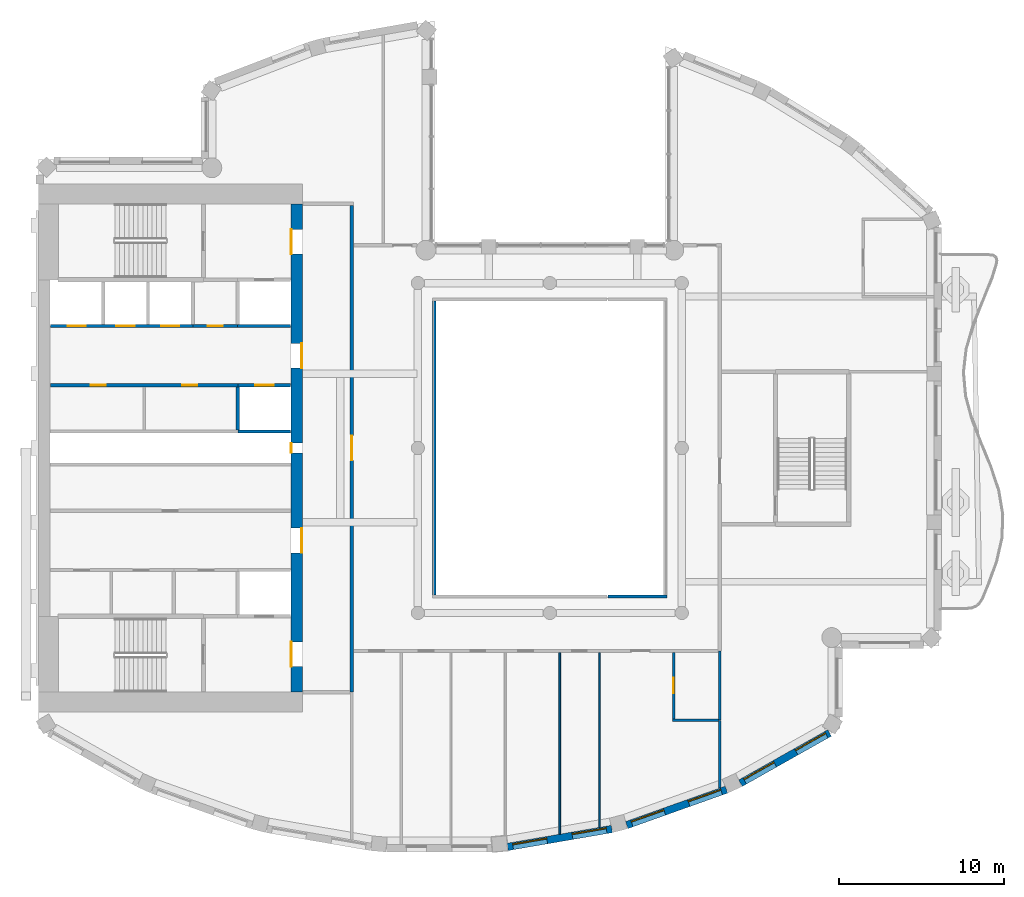
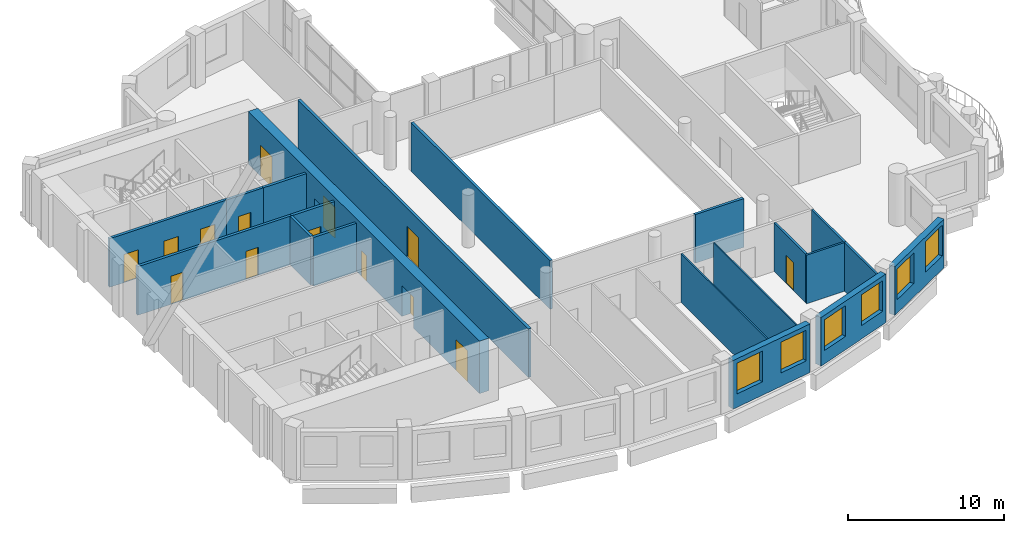
# One storey, part 5 of 15: 20 walls, 14 doors, 6 windows, 20 openings.
"""IFC4 building model written with IfcOpenShell, lengths in metres."""

from ifc_helpers import new_model, si_unit, direction, frame, frame_2d, origin, place, context, subcontext, project, spatial, rectangle, extrude, material, layer, layer_set, type_object, element, fill, save


model = new_model("IFC4")

# Units and contexts
model_context = context("Model", 3, precision=1e-05, world=origin(), true_north=direction((0.0, 1.0)))
body_context = subcontext(model_context, "Body", "Model", "MODEL_VIEW")
ifc_project = project(units=[si_unit("LENGTHUNIT", "METRE"), si_unit("AREAUNIT", "SQUARE_METRE"), si_unit("VOLUMEUNIT", "CUBIC_METRE"), si_unit("PLANEANGLEUNIT", "RADIAN"), si_unit("MASSUNIT", "GRAM", prefix="KILO")], contexts=[model_context])

# Site, building, storey
site_placement = place(None, origin())
site = spatial("IfcSite", under=ifc_project, at=site_placement, CompositionType="ELEMENT")
building_placement = place(site_placement, origin())
building = spatial("IfcBuilding", under=site, at=building_placement, Name="Cypress Arch Tower", CompositionType="ELEMENT")
storey_placement = place(building_placement, frame((0.0, 0.0, 313.10009765625)))
storey = spatial("IfcBuildingStorey", under=building, at=storey_placement, Name="L71", CompositionType="ELEMENT", Elevation=313.10009765625)

# Wall, openings, windows
ifc_material_1 = material(Name="Brick (red buff blend)", Category="masonry")
ifc_layer_1 = layer(ifc_material_1, 0.449951171875)
ifc_layer_set_1 = layer_set([ifc_layer_1], Name="Brick pier and spandrel wall BW450")
wall_type_1 = type_object("IfcWallType", Name="Brick pier and spandrel wall BW450", PredefinedType="SOLIDWALL", material=ifc_layer_set_1)
wall_1_placement = place(storey_placement, frame((-1.562255859375, -24.18505859375, 0.0), z_axis=(0.0, 0.0, 1.0), x_axis=(0.985502073964, 0.169663379113, 0.0)))
wall_1 = element("IfcWall", 1, at=wall_1_placement, inside=storey, type_object=wall_type_1, Name="Brick wall L71 C12.0", PredefinedType="SOLIDWALL", context=body_context, shape_type="SweptSolid", body=[
    extrude(rectangle(XDim=6.412109375, YDim=0.449951171875, at=frame_2d((3.2060546875, 0.0))), origin(), (0.0, 0.0, 1.0), 3.7998046875),
])
opening_1_placement = place(wall_1_placement, frame((0.3271484375, 0.0, 1.050048828125)))
opening_1 = element("IfcOpeningElement", 2, at=opening_1_placement, cuts=wall_1, Name="Opening W210O", PredefinedType="OPENING", context=body_context, shape_type="SweptSolid", body=[
    extrude(rectangle(XDim=2.10009765625, YDim=2.39990234375, at=frame_2d((1.050048828125, 1.199951171875))), frame((0.0, 0.23486328125, 0.0), z_axis=(0.0, -1.0, 0.0), x_axis=(1.0, 0.0, 0.0)), (0.0, 0.0, 1.0), 0.469970703125),
])
opening_2_placement = place(wall_1_placement, frame((3.98486328125, 0.0, 1.050048828125)))
opening_2 = element("IfcOpeningElement", 3, at=opening_2_placement, cuts=wall_1, Name="Opening W210O", PredefinedType="OPENING", context=body_context, shape_type="SweptSolid", body=[
    extrude(rectangle(XDim=2.10009765625, YDim=2.39990234375, at=frame_2d((1.050048828125, 1.199951171875))), frame((0.0, 0.23486328125, 0.0), z_axis=(0.0, -1.0, 0.0), x_axis=(1.0, 0.0, 0.0)), (0.0, 0.0, 1.0), 0.469970703125),
])
ifc_material_2 = material(Name="Anodised aluminium, bronze finish, clear low-emissivity double glazing", Category="aluminium")
window_type = type_object("IfcWindowType", Name="Window Office 2100x2400", PartitioningType="SINGLE_PANEL", PredefinedType="WINDOW", material=ifc_material_2)
window_1_placement = place(opening_1_placement, origin())
window_1 = element("IfcWindow", 4, at=window_1_placement, inside=storey, type_object=window_type, Name="Window L71 C12.0.1", OverallHeight=2.39990234375, OverallWidth=2.10009765625, PartitioningType="SINGLE_PANEL", PredefinedType="WINDOW", context=body_context, shape_type="SweptSolid", body=[
    extrude(rectangle(XDim=2.10009765625, YDim=2.39990234375, at=frame_2d((1.050048828125, 1.199951171875))), frame((0.0, 0.135009765625, 0.0), z_axis=(0.0, -1.0, 0.0), x_axis=(1.0, 0.0, 0.0)), (0.0, 0.0, 1.0), 0.06005859375),
])
fill(opening_1, window_1)
window_2_placement = place(opening_2_placement, origin())
window_2 = element("IfcWindow", 5, at=window_2_placement, inside=storey, type_object=window_type, Name="Window L71 C12.0.2", OverallHeight=2.39990234375, OverallWidth=2.10009765625, PartitioningType="SINGLE_PANEL", PredefinedType="WINDOW", context=body_context, shape_type="SweptSolid", body=[
    extrude(rectangle(XDim=2.10009765625, YDim=2.39990234375, at=frame_2d((1.050048828125, 1.199951171875))), frame((0.0, 0.135009765625, 0.0), z_axis=(0.0, -1.0, 0.0), x_axis=(1.0, 0.0, 0.0)), (0.0, 0.0, 1.0), 0.06005859375),
])
fill(opening_2, window_2)

wall_2_placement = place(storey_placement, frame((5.66455078125, -22.859375, 0.0), z_axis=(0.0, 0.0, 1.0), x_axis=(0.942108340262, 0.335308626803, 0.0)))
wall_2 = element("IfcWall", 6, at=wall_2_placement, inside=storey, type_object=wall_type_1, Name="Brick wall L71 C13.0", PredefinedType="SOLIDWALL", context=body_context, shape_type="SweptSolid", body=[
    extrude(rectangle(XDim=6.41162109375, YDim=0.449951171875, at=frame_2d((3.205810546875, 0.0))), origin(), (0.0, 0.0, 1.0), 3.7998046875),
])
opening_3_placement = place(wall_2_placement, frame((0.3271484375, 0.0, 1.050048828125)))
opening_3 = element("IfcOpeningElement", 7, at=opening_3_placement, cuts=wall_2, Name="Opening W210O", PredefinedType="OPENING", context=body_context, shape_type="SweptSolid", body=[
    extrude(rectangle(XDim=2.10009765625, YDim=2.39990234375, at=frame_2d((1.050048828125, 1.199951171875))), frame((0.0, 0.23486328125, 0.0), z_axis=(0.0, -1.0, 0.0), x_axis=(1.0, 0.0, 0.0)), (0.0, 0.0, 1.0), 0.469970703125),
])
opening_4_placement = place(wall_2_placement, frame((3.984619140625, 0.0, 1.050048828125)))
opening_4 = element("IfcOpeningElement", 8, at=opening_4_placement, cuts=wall_2, Name="Opening W210O", PredefinedType="OPENING", context=body_context, shape_type="SweptSolid", body=[
    extrude(rectangle(XDim=2.10009765625, YDim=2.39990234375, at=frame_2d((1.050048828125, 1.199951171875))), frame((0.0, 0.23486328125, 0.0), z_axis=(0.0, -1.0, 0.0), x_axis=(1.0, 0.0, 0.0)), (0.0, 0.0, 1.0), 0.469970703125),
])
window_3_placement = place(opening_3_placement, origin())
window_3 = element("IfcWindow", 9, at=window_3_placement, inside=storey, type_object=window_type, Name="Window L71 C13.0.1", OverallHeight=2.39990234375, OverallWidth=2.10009765625, PartitioningType="SINGLE_PANEL", PredefinedType="WINDOW", context=body_context, shape_type="SweptSolid", body=[
    extrude(rectangle(XDim=2.10009765625, YDim=2.39990234375, at=frame_2d((1.050048828125, 1.199951171875))), frame((0.0, 0.135009765625, 0.0), z_axis=(0.0, -1.0, 0.0), x_axis=(1.0, 0.0, 0.0)), (0.0, 0.0, 1.0), 0.06005859375),
])
fill(opening_3, window_3)
window_4_placement = place(opening_4_placement, origin())
window_4 = element("IfcWindow", 10, at=window_4_placement, inside=storey, type_object=window_type, Name="Window L71 C13.0.2", OverallHeight=2.39990234375, OverallWidth=2.10009765625, PartitioningType="SINGLE_PANEL", PredefinedType="WINDOW", context=body_context, shape_type="SweptSolid", body=[
    extrude(rectangle(XDim=2.10009765625, YDim=2.39990234375, at=frame_2d((1.050048828125, 1.199951171875))), frame((0.0, 0.135009765625, 0.0), z_axis=(0.0, -1.0, 0.0), x_axis=(1.0, 0.0, 0.0)), (0.0, 0.0, 1.0), 0.06005859375),
])
fill(opening_4, window_4)

wall_3_placement = place(storey_placement, frame((12.55908203125, -20.320068359375, 0.0), z_axis=(0.0, 0.0, 1.0), x_axis=(0.871065783524, 0.491166367714, 0.0)))
wall_3 = element("IfcWall", 11, at=wall_3_placement, inside=storey, type_object=wall_type_1, Name="Brick wall L71 C14.0", PredefinedType="SOLIDWALL", context=body_context, shape_type="SweptSolid", body=[
    extrude(rectangle(XDim=6.1962890625, YDim=0.449951171875, at=frame_2d((3.09814453125, 0.0))), origin(), (0.0, 0.0, 1.0), 3.7998046875),
])
opening_5_placement = place(wall_3_placement, frame((0.29052734375, 0.0, 1.050048828125)))
opening_5 = element("IfcOpeningElement", 12, at=opening_5_placement, cuts=wall_3, Name="Opening W210O", PredefinedType="OPENING", context=body_context, shape_type="SweptSolid", body=[
    extrude(rectangle(XDim=2.10009765625, YDim=2.39990234375, at=frame_2d((1.050048828125, 1.199951171875))), frame((0.0, 0.23486328125, 0.0), z_axis=(0.0, -1.0, 0.0), x_axis=(1.0, 0.0, 0.0)), (0.0, 0.0, 1.0), 0.469970703125),
])
opening_6_placement = place(wall_3_placement, frame((3.875244140625, 0.0, 1.050048828125)))
opening_6 = element("IfcOpeningElement", 13, at=opening_6_placement, cuts=wall_3, Name="Opening W210O", PredefinedType="OPENING", context=body_context, shape_type="SweptSolid", body=[
    extrude(rectangle(XDim=2.10009765625, YDim=2.39990234375, at=frame_2d((1.050048828125, 1.199951171875))), frame((0.0, 0.23486328125, 0.0), z_axis=(0.0, -1.0, 0.0), x_axis=(1.0, 0.0, 0.0)), (0.0, 0.0, 1.0), 0.469970703125),
])
window_5_placement = place(opening_5_placement, origin())
window_5 = element("IfcWindow", 14, at=window_5_placement, inside=storey, type_object=window_type, Name="Window L71 C14.0.1", OverallHeight=2.39990234375, OverallWidth=2.10009765625, PartitioningType="SINGLE_PANEL", PredefinedType="WINDOW", context=body_context, shape_type="SweptSolid", body=[
    extrude(rectangle(XDim=2.10009765625, YDim=2.39990234375, at=frame_2d((1.050048828125, 1.199951171875))), frame((0.0, 0.135009765625, 0.0), z_axis=(0.0, -1.0, 0.0), x_axis=(1.0, 0.0, 0.0)), (0.0, 0.0, 1.0), 0.06005859375),
])
fill(opening_5, window_5)
window_6_placement = place(opening_6_placement, origin())
window_6 = element("IfcWindow", 15, at=window_6_placement, inside=storey, type_object=window_type, Name="Window L71 C14.0.2", OverallHeight=2.39990234375, OverallWidth=2.10009765625, PartitioningType="SINGLE_PANEL", PredefinedType="WINDOW", context=body_context, shape_type="SweptSolid", body=[
    extrude(rectangle(XDim=2.10009765625, YDim=2.39990234375, at=frame_2d((1.050048828125, 1.199951171875))), frame((0.0, 0.135009765625, 0.0), z_axis=(0.0, -1.0, 0.0), x_axis=(1.0, 0.0, 0.0)), (0.0, 0.0, 1.0), 0.06005859375),
])
fill(opening_6, window_6)

# Wall, openings, doors
ifc_material_3 = material(Name="Concrete C60/75", Category="concrete")
ifc_layer_2 = layer(ifc_material_3, 0.699951171875)
ifc_layer_set_2 = layer_set([ifc_layer_2], Name="Core wall CW700 C60/75")
wall_type_2 = type_object("IfcWallType", Name="Core wall CW700 C60/75", PredefinedType="SHEAR", material=ifc_layer_set_2)
wall_4_placement = place(storey_placement, frame((-14.35009765625, -14.800048828125, 0.0), z_axis=(0.0, 0.0, 1.0), x_axis=(0.0, 1.0, 0.0)))
wall_4 = element("IfcWall", 16, at=wall_4_placement, inside=storey, type_object=wall_type_2, Name="Core wall", PredefinedType="SHEAR", context=body_context, shape_type="SweptSolid", body=[
    extrude(rectangle(XDim=29.60009765625, YDim=0.699951171875, at=frame_2d((14.800048828125, 0.0))), origin(), (0.0, 0.0, 1.0), 4.099853515625),
])
opening_7_placement = place(wall_4_placement, frame((1.550048828125, 0.0, 0.0)))
opening_7 = element("IfcOpeningElement", 17, at=opening_7_placement, cuts=wall_4, Name="Opening D07", PredefinedType="OPENING", context=body_context, shape_type="SweptSolid", body=[
    extrude(rectangle(XDim=1.5, YDim=2.39990234375, at=frame_2d((0.75, 1.199951171875))), frame((0.0, 0.35986328125, 0.0), z_axis=(0.0, -1.0, 0.0), x_axis=(1.0, 0.0, 0.0)), (0.0, 0.0, 1.0), 0.719970703125),
])
opening_8_placement = place(wall_4_placement, frame((26.550048828125, 0.0, 0.0)))
opening_8 = element("IfcOpeningElement", 18, at=opening_8_placement, cuts=wall_4, Name="Opening D07", PredefinedType="OPENING", context=body_context, shape_type="SweptSolid", body=[
    extrude(rectangle(XDim=1.5, YDim=2.39990234375, at=frame_2d((0.75, 1.199951171875))), frame((0.0, 0.35986328125, 0.0), z_axis=(0.0, -1.0, 0.0), x_axis=(1.0, 0.0, 0.0)), (0.0, 0.0, 1.0), 0.719970703125),
])
opening_9_placement = place(wall_4_placement, frame((8.449951171875, 0.0, 0.0)))
opening_9 = element("IfcOpeningElement", 19, at=opening_9_placement, cuts=wall_4, Name="Opening D07", PredefinedType="OPENING", context=body_context, shape_type="SweptSolid", body=[
    extrude(rectangle(XDim=1.5, YDim=2.39990234375, at=frame_2d((0.75, 1.199951171875))), frame((0.0, 0.35986328125, 0.0), z_axis=(0.0, -1.0, 0.0), x_axis=(1.0, 0.0, 0.0)), (0.0, 0.0, 1.0), 0.719970703125),
])
opening_10_placement = place(wall_4_placement, frame((19.64990234375, 0.0, 0.0)))
opening_10 = element("IfcOpeningElement", 20, at=opening_10_placement, cuts=wall_4, Name="Opening D07", PredefinedType="OPENING", context=body_context, shape_type="SweptSolid", body=[
    extrude(rectangle(XDim=1.5, YDim=2.39990234375, at=frame_2d((0.75, 1.199951171875))), frame((0.0, 0.35986328125, 0.0), z_axis=(0.0, -1.0, 0.0), x_axis=(1.0, 0.0, 0.0)), (0.0, 0.0, 1.0), 0.719970703125),
])
opening_11_placement = place(wall_4_placement, frame((14.5, 0.0, 0.0)))
opening_11 = element("IfcOpeningElement", 21, at=opening_11_placement, cuts=wall_4, Name="Opening D08", PredefinedType="OPENING", context=body_context, shape_type="SweptSolid", body=[
    extrude(rectangle(XDim=0.60009765625, YDim=2.0, at=frame_2d((0.300048828125, 1.0))), frame((0.0, 0.35986328125, 0.0), z_axis=(0.0, -1.0, 0.0), x_axis=(1.0, 0.0, 0.0)), (0.0, 0.0, 1.0), 0.719970703125),
])
ifc_material_4 = material(Name="Steel framed glazed door, fire resisting", Category="steel")
door_type_1 = type_object("IfcDoorType", Name="Lobby door D07 1500x2400", OperationType="DOUBLE_DOOR_SINGLE_SWING", PredefinedType="DOOR", material=ifc_material_4)
door_1_placement = place(opening_7_placement, origin())
door_1 = element("IfcDoor", 22, at=door_1_placement, inside=storey, type_object=door_type_1, Name="Lobby door", OperationType="DOUBLE_DOOR_SINGLE_SWING", OverallHeight=2.39990234375, OverallWidth=1.5, PredefinedType="DOOR", context=body_context, shape_type="SweptSolid", body=[
    extrude(rectangle(XDim=1.5, YDim=2.39990234375, at=frame_2d((0.75, 1.199951171875))), frame((0.0, 0.34521484375, 0.0), z_axis=(0.0, -1.0, 0.0), x_axis=(1.0, 0.0, 0.0)), (0.0, 0.0, 1.0), 0.050048828125),
])
fill(opening_7, door_1)
door_2_placement = place(opening_8_placement, origin())
door_2 = element("IfcDoor", 23, at=door_2_placement, inside=storey, type_object=door_type_1, Name="Lobby door", OperationType="DOUBLE_DOOR_SINGLE_SWING", OverallHeight=2.39990234375, OverallWidth=1.5, PredefinedType="DOOR", context=body_context, shape_type="SweptSolid", body=[
    extrude(rectangle(XDim=1.5, YDim=2.39990234375, at=frame_2d((0.75, 1.199951171875))), frame((0.0, 0.34521484375, 0.0), z_axis=(0.0, -1.0, 0.0), x_axis=(1.0, 0.0, 0.0)), (0.0, 0.0, 1.0), 0.050048828125),
])
fill(opening_8, door_2)
door_3_placement = place(opening_9_placement, origin())
door_3 = element("IfcDoor", 24, at=door_3_placement, inside=storey, type_object=door_type_1, Name="Lobby door", OperationType="DOUBLE_DOOR_SINGLE_SWING", OverallHeight=2.39990234375, OverallWidth=1.5, PredefinedType="DOOR", context=body_context, shape_type="SweptSolid", body=[
    extrude(rectangle(XDim=1.5, YDim=2.39990234375, at=frame_2d((0.75, 1.199951171875))), frame((0.0, -0.294921875, 0.0), z_axis=(0.0, -1.0, 0.0), x_axis=(1.0, 0.0, 0.0)), (0.0, 0.0, 1.0), 0.050048828125),
])
fill(opening_9, door_3)
door_4_placement = place(opening_10_placement, origin())
door_4 = element("IfcDoor", 25, at=door_4_placement, inside=storey, type_object=door_type_1, Name="Lobby door", OperationType="DOUBLE_DOOR_SINGLE_SWING", OverallHeight=2.39990234375, OverallWidth=1.5, PredefinedType="DOOR", context=body_context, shape_type="SweptSolid", body=[
    extrude(rectangle(XDim=1.5, YDim=2.39990234375, at=frame_2d((0.75, 1.199951171875))), frame((0.0, -0.294921875, 0.0), z_axis=(0.0, -1.0, 0.0), x_axis=(1.0, 0.0, 0.0)), (0.0, 0.0, 1.0), 0.050048828125),
])
fill(opening_10, door_4)
ifc_material_5 = material(Name="Steel access door, fire resisting", Category="steel")
door_type_2 = type_object("IfcDoorType", Name="Riser access door D08 600x2000", OperationType="SINGLE_SWING_LEFT", PredefinedType="DOOR", material=ifc_material_5)
door_5_placement = place(opening_11_placement, origin())
door_5 = element("IfcDoor", 26, at=door_5_placement, inside=storey, type_object=door_type_2, Name="Riser access door", OperationType="SINGLE_SWING_RIGHT", OverallHeight=2.0, OverallWidth=0.60009765625, PredefinedType="DOOR", context=body_context, shape_type="SweptSolid", body=[
    extrude(rectangle(XDim=0.60009765625, YDim=2.0, at=frame_2d((0.300048828125, 1.0))), frame((0.0, 0.34521484375, 0.0), z_axis=(0.0, -1.0, 0.0), x_axis=(1.0, 0.0, 0.0)), (0.0, 0.0, 1.0), 0.050048828125),
])
fill(opening_11, door_5)

ifc_material_6 = material(Name="Concrete blockwork, plastered, rated", Category="masonry")
ifc_layer_3 = layer(ifc_material_6, 0.199951171875)
ifc_layer_set_3 = layer_set([ifc_layer_3], Name="Corridor wall FW200")
wall_type_3 = type_object("IfcWallType", Name="Corridor wall FW200", PredefinedType="PARTITIONING", material=ifc_layer_set_3)
wall_5_placement = place(storey_placement, frame((-29.27001953125, 3.800048828125, 0.0), z_axis=(0.0, 0.0, 1.0), x_axis=(1.0, 0.0, 0.0)))
wall_5 = element("IfcWall", 27, at=wall_5_placement, inside=storey, type_object=wall_type_3, Name="Corridor wall", PredefinedType="PARTITIONING", context=body_context, shape_type="SweptSolid", body=[
    extrude(rectangle(XDim=11.3701171875, YDim=0.199951171875, at=frame_2d((5.68505859375, 0.0))), origin(), (0.0, 0.0, 1.0), 3.7998046875),
])
opening_12_placement = place(wall_5_placement, frame((2.449951171875, 0.0, 0.0)))
opening_12 = element("IfcOpeningElement", 28, at=opening_12_placement, cuts=wall_5, Name="Opening D05", PredefinedType="OPENING", context=body_context, shape_type="SweptSolid", body=[
    extrude(rectangle(XDim=0.89990234375, YDim=2.199951171875, at=frame_2d((0.449951171875, 1.10009765625))), frame((0.0, 0.10986328125, 0.0), z_axis=(0.0, -1.0, 0.0), x_axis=(1.0, 0.0, 0.0)), (0.0, 0.0, 1.0), 0.219970703125),
])
opening_13_placement = place(wall_5_placement, frame((8.0, 0.0, 0.0)))
opening_13 = element("IfcOpeningElement", 29, at=opening_13_placement, cuts=wall_5, Name="Opening D05", PredefinedType="OPENING", context=body_context, shape_type="SweptSolid", body=[
    extrude(rectangle(XDim=0.89990234375, YDim=2.199951171875, at=frame_2d((0.449951171875, 1.10009765625))), frame((0.0, 0.10986328125, 0.0), z_axis=(0.0, -1.0, 0.0), x_axis=(1.0, 0.0, 0.0)), (0.0, 0.0, 1.0), 0.219970703125),
])
ifc_material_7 = material(Name="Timber flush door", Category="wood")
door_type_3 = type_object("IfcDoorType", Name="Service door D05 900x2200", OperationType="SINGLE_SWING_LEFT", PredefinedType="DOOR", material=ifc_material_7)
door_6_placement = place(opening_12_placement, origin())
door_6 = element("IfcDoor", 30, at=door_6_placement, inside=storey, type_object=door_type_3, Name="Service door", OperationType="SINGLE_SWING_LEFT", OverallHeight=2.199951171875, OverallWidth=0.89990234375, PredefinedType="DOOR", context=body_context, shape_type="SweptSolid", body=[
    extrude(rectangle(XDim=0.89990234375, YDim=2.199951171875, at=frame_2d((0.449951171875, 1.10009765625))), frame((0.0, 0.02490234375, 0.0), z_axis=(0.0, -1.0, 0.0), x_axis=(1.0, 0.0, 0.0)), (0.0, 0.0, 1.0), 0.050048828125),
])
fill(opening_12, door_6)
door_7_placement = place(opening_13_placement, origin())
door_7 = element("IfcDoor", 31, at=door_7_placement, inside=storey, type_object=door_type_3, Name="Service door", OperationType="SINGLE_SWING_RIGHT", OverallHeight=2.199951171875, OverallWidth=0.89990234375, PredefinedType="DOOR", context=body_context, shape_type="SweptSolid", body=[
    extrude(rectangle(XDim=0.89990234375, YDim=2.199951171875, at=frame_2d((0.449951171875, 1.10009765625))), frame((0.0, 0.02490234375, 0.0), z_axis=(0.0, -1.0, 0.0), x_axis=(1.0, 0.0, 0.0)), (0.0, 0.0, 1.0), 0.050048828125),
])
fill(opening_13, door_7)

# Wall, opening, door
wall_6_placement = place(storey_placement, frame((-20.639892578125, 7.39990234375, 0.0), z_axis=(0.0, 0.0, 1.0), x_axis=(1.0, 0.0, 0.0)))
wall_6 = element("IfcWall", 32, at=wall_6_placement, inside=storey, type_object=wall_type_3, Name="Corridor wall", PredefinedType="PARTITIONING", context=body_context, shape_type="SweptSolid", body=[
    extrude(rectangle(XDim=2.719970703125, YDim=0.199951171875, at=frame_2d((1.35986328125, 0.0))), origin(), (0.0, 0.0, 1.0), 3.7998046875),
])
opening_14_placement = place(wall_6_placement, frame((0.89990234375, 0.0, 0.0)))
opening_14 = element("IfcOpeningElement", 33, at=opening_14_placement, cuts=wall_6, Name="Opening D05", PredefinedType="OPENING", context=body_context, shape_type="SweptSolid", body=[
    extrude(rectangle(XDim=0.89990234375, YDim=2.199951171875, at=frame_2d((0.449951171875, 1.10009765625))), frame((0.0, 0.10986328125, 0.0), z_axis=(0.0, -1.0, 0.0), x_axis=(1.0, 0.0, 0.0)), (0.0, 0.0, 1.0), 0.219970703125),
])
door_8_placement = place(opening_14_placement, origin())
door_8 = element("IfcDoor", 34, at=door_8_placement, inside=storey, type_object=door_type_3, Name="Service door", OperationType="SINGLE_SWING_LEFT", OverallHeight=2.199951171875, OverallWidth=0.89990234375, PredefinedType="DOOR", context=body_context, shape_type="SweptSolid", body=[
    extrude(rectangle(XDim=0.89990234375, YDim=2.199951171875, at=frame_2d((0.449951171875, 1.10009765625))), frame((0.0, 0.02490234375, 0.0), z_axis=(0.0, -1.0, 0.0), x_axis=(1.0, 0.0, 0.0)), (0.0, 0.0, 1.0), 0.050048828125),
])
fill(opening_14, door_8)

wall_7_placement = place(storey_placement, frame((-11.0, -14.800048828125, 0.0), z_axis=(0.0, 0.0, 1.0), x_axis=(0.0, 1.0, 0.0)))
wall_7 = element("IfcWall", 35, at=wall_7_placement, inside=storey, type_object=wall_type_3, Name="Corridor wall", PredefinedType="PARTITIONING", context=body_context, shape_type="SweptSolid", body=[
    extrude(rectangle(XDim=29.5, YDim=0.199951171875, at=frame_2d((14.75, 0.0))), origin(), (0.0, 0.0, 1.0), 3.7998046875),
])
opening_15_placement = place(wall_7_placement, frame((14.050048828125, 0.0, 0.0)))
opening_15 = element("IfcOpeningElement", 36, at=opening_15_placement, cuts=wall_7, Name="Opening D07", PredefinedType="OPENING", context=body_context, shape_type="SweptSolid", body=[
    extrude(rectangle(XDim=1.5, YDim=2.39990234375, at=frame_2d((0.75, 1.199951171875))), frame((0.0, 0.10986328125, 0.0), z_axis=(0.0, -1.0, 0.0), x_axis=(1.0, 0.0, 0.0)), (0.0, 0.0, 1.0), 0.219970703125),
])
door_9_placement = place(opening_15_placement, origin())
door_9 = element("IfcDoor", 37, at=door_9_placement, inside=storey, type_object=door_type_1, Name="Lobby door", OperationType="DOUBLE_DOOR_SINGLE_SWING", OverallHeight=2.39990234375, OverallWidth=1.5, PredefinedType="DOOR", context=body_context, shape_type="SweptSolid", body=[
    extrude(rectangle(XDim=1.5, YDim=2.39990234375, at=frame_2d((0.75, 1.199951171875))), frame((0.0, 0.02490234375, 0.0), z_axis=(0.0, -1.0, 0.0), x_axis=(1.0, 0.0, 0.0)), (0.0, 0.0, 1.0), 0.050048828125),
])
fill(opening_15, door_9)

# Walls
wall_8_placement = place(storey_placement, frame((-6.0, -8.89990234375, 0.0), z_axis=(0.0, 0.0, 1.0), x_axis=(0.0, 1.0, 0.0)))
element("IfcWall", 38, at=wall_8_placement, inside=storey, type_object=wall_type_3, Name="Corridor wall", PredefinedType="PARTITIONING", context=body_context, shape_type="SweptSolid", body=[
    extrude(rectangle(XDim=17.7998046875, YDim=0.199951171875, at=frame_2d((8.89990234375, 0.0))), origin(), (0.0, 0.0, 1.0), 3.7998046875),
])
wall_9_placement = place(storey_placement, frame((4.52001953125, -9.0, 0.0), z_axis=(0.0, 0.0, 1.0), x_axis=(1.0, 0.0, 0.0)))
element("IfcWall", 39, at=wall_9_placement, inside=storey, type_object=wall_type_3, Name="Corridor wall", PredefinedType="PARTITIONING", context=body_context, shape_type="SweptSolid", body=[
    extrude(rectangle(XDim=3.580078125, YDim=0.199951171875, at=frame_2d((1.7900390625, 0.0))), origin(), (0.0, 0.0, 1.0), 3.7998046875),
])

# Wall, opening, door
ifc_material_8 = material(Name="Blockwork, plastered both sides", Category="masonry")
ifc_layer_4 = layer(ifc_material_8, 0.14990234375)
ifc_layer_set_4 = layer_set([ifc_layer_4], Name="Partition PW150")
wall_type_4 = type_object("IfcWallType", Name="Partition PW150", PredefinedType="PARTITIONING", material=ifc_layer_set_4)
wall_10_placement = place(storey_placement, frame((8.501953125, -16.425048828125, 0.0), z_axis=(0.0, 0.0, 1.0), x_axis=(0.0, 1.0, 0.0)))
wall_10 = element("IfcWall", 40, at=wall_10_placement, inside=storey, type_object=wall_type_4, Name="Partition", PredefinedType="PARTITIONING", context=body_context, shape_type="SweptSolid", body=[
    extrude(rectangle(XDim=4.025146484375, YDim=0.14990234375, at=frame_2d((2.0126953125, 0.0))), origin(), (0.0, 0.0, 1.0), 3.7998046875),
])
opening_16_placement = place(wall_10_placement, frame((1.550048828125, 0.0, 0.0)))
opening_16 = element("IfcOpeningElement", 41, at=opening_16_placement, cuts=wall_10, Name="Opening D12", PredefinedType="OPENING", context=body_context, shape_type="SweptSolid", body=[
    extrude(rectangle(XDim=0.949951171875, YDim=2.199951171875, at=frame_2d((0.47509765625, 1.10009765625))), frame((0.0, 0.0849609375, 0.0), z_axis=(0.0, -1.0, 0.0), x_axis=(1.0, 0.0, 0.0)), (0.0, 0.0, 1.0), 0.169921875),
])
ifc_material_9 = material(Name="Timber flush door", Category="wood")
door_type_4 = type_object("IfcDoorType", Name="Room door D12 950x2200", OperationType="SINGLE_SWING_LEFT", PredefinedType="DOOR", material=ifc_material_9)
door_10_placement = place(opening_16_placement, origin())
door_10 = element("IfcDoor", 42, at=door_10_placement, inside=storey, type_object=door_type_4, Name="Room door", OperationType="SINGLE_SWING_RIGHT", OverallHeight=2.199951171875, OverallWidth=0.949951171875, PredefinedType="DOOR", context=body_context, shape_type="SweptSolid", body=[
    extrude(rectangle(XDim=0.949951171875, YDim=2.199951171875, at=frame_2d((0.47509765625, 1.10009765625))), frame((0.0, 0.02490234375, 0.0), z_axis=(0.0, -1.0, 0.0), x_axis=(1.0, 0.0, 0.0)), (0.0, 0.0, 1.0), 0.050048828125),
])
fill(opening_16, door_10)

# Walls
wall_11_placement = place(storey_placement, frame((8.427001953125, -16.5, 0.0), z_axis=(0.0, 0.0, 1.0), x_axis=(1.0, 0.0, 0.0)))
element("IfcWall", 43, at=wall_11_placement, inside=storey, type_object=wall_type_4, Name="Partition", PredefinedType="PARTITIONING", context=body_context, shape_type="SweptSolid", body=[
    extrude(rectangle(XDim=2.798095703125, YDim=0.14990234375, at=frame_2d((1.39892578125, 0.0))), origin(), (0.0, 0.0, 1.0), 3.7998046875),
])
wall_12_placement = place(storey_placement, frame((11.300048828125, -20.61474609375, 0.0), z_axis=(0.0, 0.0, 1.0), x_axis=(0.0, 1.0, 0.0)))
element("IfcWall", 44, at=wall_12_placement, inside=storey, type_object=wall_type_4, Name="Partition", PredefinedType="PARTITIONING", context=body_context, shape_type="SweptSolid", body=[
    extrude(rectangle(XDim=4.0947265625, YDim=0.14990234375, at=frame_2d((2.04736328125, 0.0))), origin(), (0.0, 0.0, 1.0), 3.7998046875),
])
wall_13_placement = place(storey_placement, frame((11.300048828125, -16.5, 0.0), z_axis=(0.0, 0.0, 1.0), x_axis=(0.0, 1.0, 0.0)))
element("IfcWall", 45, at=wall_13_placement, inside=storey, type_object=wall_type_4, Name="Partition", PredefinedType="PARTITIONING", context=body_context, shape_type="SweptSolid", body=[
    extrude(rectangle(XDim=4.179931640625, YDim=0.14990234375, at=frame_2d((2.08984375, 0.0))), origin(), (0.0, 0.0, 1.0), 3.7998046875),
])

# Wall, openings, doors
ifc_material_10 = material(Name="Concrete C50/60", Category="concrete")
ifc_layer_5 = layer(ifc_material_10, 0.199951171875)
ifc_layer_set_5 = layer_set([ifc_layer_5], Name="Shaft wall SH200")
wall_type_5 = type_object("IfcWallType", Name="Shaft wall SH200", PredefinedType="SHEAR", material=ifc_layer_set_5)
wall_14_placement = place(storey_placement, frame((-29.27001953125, 7.39990234375, 0.0), z_axis=(0.0, 0.0, 1.0), x_axis=(1.0, 0.0, 0.0)))
wall_14 = element("IfcWall", 46, at=wall_14_placement, inside=storey, type_object=wall_type_5, Name="Shaft wall", PredefinedType="SHEAR", context=body_context, shape_type="SweptSolid", body=[
    extrude(rectangle(XDim=8.630126953125, YDim=0.199951171875, at=frame_2d((4.31494140625, 0.0))), origin(), (0.0, 0.0, 1.0), 3.7998046875),
])
opening_17_placement = place(wall_14_placement, frame((1.050048828125, 0.0, 0.0)))
opening_17 = element("IfcOpeningElement", 47, at=opening_17_placement, cuts=wall_14, Name="Opening LD-HR5", PredefinedType="OPENING", context=body_context, shape_type="SweptSolid", body=[
    extrude(rectangle(XDim=1.10009765625, YDim=2.199951171875, at=frame_2d((0.550048828125, 1.10009765625))), frame((0.0, 0.10986328125, 0.0), z_axis=(0.0, -1.0, 0.0), x_axis=(1.0, 0.0, 0.0)), (0.0, 0.0, 1.0), 0.219970703125),
])
opening_18_placement = place(wall_14_placement, frame((4.0, 0.0, 0.0)))
opening_18 = element("IfcOpeningElement", 48, at=opening_18_placement, cuts=wall_14, Name="Opening LD-HR6", PredefinedType="OPENING", context=body_context, shape_type="SweptSolid", body=[
    extrude(rectangle(XDim=1.10009765625, YDim=2.199951171875, at=frame_2d((0.550048828125, 1.10009765625))), frame((0.0, 0.10986328125, 0.0), z_axis=(0.0, -1.0, 0.0), x_axis=(1.0, 0.0, 0.0)), (0.0, 0.0, 1.0), 0.219970703125),
])
opening_19_placement = place(wall_14_placement, frame((6.699951171875, 0.0, 0.0)))
opening_19 = element("IfcOpeningElement", 49, at=opening_19_placement, cuts=wall_14, Name="Opening LD-HR7", PredefinedType="OPENING", context=body_context, shape_type="SweptSolid", body=[
    extrude(rectangle(XDim=1.10009765625, YDim=2.199951171875, at=frame_2d((0.550048828125, 1.10009765625))), frame((0.0, 0.10986328125, 0.0), z_axis=(0.0, -1.0, 0.0), x_axis=(1.0, 0.0, 0.0)), (0.0, 0.0, 1.0), 0.219970703125),
])
ifc_material_11 = material(Name="Stainless steel centre-opening landing door, rated", Category="steel")
door_type_5 = type_object("IfcDoorType", Name="Lift landing door LD 1100x2200", OperationType="DOUBLE_DOOR_SLIDING", PredefinedType="DOOR", material=ifc_material_11)
door_11_placement = place(opening_17_placement, origin())
door_11 = element("IfcDoor", 50, at=door_11_placement, inside=storey, type_object=door_type_5, Name="Lift landing doors HR5", OperationType="DOUBLE_DOOR_SLIDING", OverallHeight=2.199951171875, OverallWidth=1.10009765625, PredefinedType="DOOR", context=body_context, shape_type="SweptSolid", body=[
    extrude(rectangle(XDim=1.10009765625, YDim=2.199951171875, at=frame_2d((0.550048828125, 1.10009765625))), frame((0.0, 0.02490234375, 0.0), z_axis=(0.0, -1.0, 0.0), x_axis=(1.0, 0.0, 0.0)), (0.0, 0.0, 1.0), 0.050048828125),
])
fill(opening_17, door_11)
door_12_placement = place(opening_18_placement, origin())
door_12 = element("IfcDoor", 51, at=door_12_placement, inside=storey, type_object=door_type_5, Name="Lift landing doors HR6", OperationType="DOUBLE_DOOR_SLIDING", OverallHeight=2.199951171875, OverallWidth=1.10009765625, PredefinedType="DOOR", context=body_context, shape_type="SweptSolid", body=[
    extrude(rectangle(XDim=1.10009765625, YDim=2.199951171875, at=frame_2d((0.550048828125, 1.10009765625))), frame((0.0, 0.02490234375, 0.0), z_axis=(0.0, -1.0, 0.0), x_axis=(1.0, 0.0, 0.0)), (0.0, 0.0, 1.0), 0.050048828125),
])
fill(opening_18, door_12)
door_13_placement = place(opening_19_placement, origin())
door_13 = element("IfcDoor", 52, at=door_13_placement, inside=storey, type_object=door_type_5, Name="Lift landing doors HR7", OperationType="DOUBLE_DOOR_SLIDING", OverallHeight=2.199951171875, OverallWidth=1.10009765625, PredefinedType="DOOR", context=body_context, shape_type="SweptSolid", body=[
    extrude(rectangle(XDim=1.10009765625, YDim=2.199951171875, at=frame_2d((0.550048828125, 1.10009765625))), frame((0.0, 0.02490234375, 0.0), z_axis=(0.0, -1.0, 0.0), x_axis=(1.0, 0.0, 0.0)), (0.0, 0.0, 1.0), 0.050048828125),
])
fill(opening_19, door_13)

# Walls
wall_15_placement = place(storey_placement, frame((-17.919921875, 1.10009765625, 0.0), z_axis=(0.0, 0.0, 1.0), x_axis=(0.0, 1.0, 0.0)))
element("IfcWall", 53, at=wall_15_placement, inside=storey, type_object=wall_type_5, Name="Shaft wall", PredefinedType="SHEAR", context=body_context, shape_type="SweptSolid", body=[
    extrude(rectangle(XDim=2.599853515625, YDim=0.199951171875, at=frame_2d((1.2998046875, 0.0))), origin(), (0.0, 0.0, 1.0), 3.7998046875),
])
wall_16_placement = place(storey_placement, frame((-17.89990234375, 1.0, 0.0), z_axis=(0.0, 0.0, 1.0), x_axis=(1.0, 0.0, 0.0)))
element("IfcWall", 54, at=wall_16_placement, inside=storey, type_object=wall_type_5, Name="Shaft wall", PredefinedType="SHEAR", context=body_context, shape_type="SweptSolid", body=[
    extrude(rectangle(XDim=3.169921875, YDim=0.199951171875, at=frame_2d((1.5849609375, 0.0))), origin(), (0.0, 0.0, 1.0), 3.7998046875),
])

# Wall, opening, door
wall_17_placement = place(storey_placement, frame((-17.89990234375, 3.800048828125, 0.0), z_axis=(0.0, 0.0, 1.0), x_axis=(1.0, 0.0, 0.0)))
wall_17 = element("IfcWall", 55, at=wall_17_placement, inside=storey, type_object=wall_type_5, Name="Shaft wall", PredefinedType="SHEAR", context=body_context, shape_type="SweptSolid", body=[
    extrude(rectangle(XDim=3.169921875, YDim=0.199951171875, at=frame_2d((1.5849609375, 0.0))), origin(), (0.0, 0.0, 1.0), 3.7998046875),
])
opening_20_placement = place(wall_17_placement, frame((1.050048828125, 0.0, 0.0)))
opening_20 = element("IfcOpeningElement", 56, at=opening_20_placement, cuts=wall_17, Name="Opening LD-HR4", PredefinedType="OPENING", context=body_context, shape_type="SweptSolid", body=[
    extrude(rectangle(XDim=1.10009765625, YDim=2.199951171875, at=frame_2d((0.550048828125, 1.10009765625))), frame((0.0, 0.10986328125, 0.0), z_axis=(0.0, -1.0, 0.0), x_axis=(1.0, 0.0, 0.0)), (0.0, 0.0, 1.0), 0.219970703125),
])
door_14_placement = place(opening_20_placement, origin())
door_14 = element("IfcDoor", 57, at=door_14_placement, inside=storey, type_object=door_type_5, Name="Lift landing doors HR4", OperationType="DOUBLE_DOOR_SLIDING", OverallHeight=2.199951171875, OverallWidth=1.10009765625, PredefinedType="DOOR", context=body_context, shape_type="SweptSolid", body=[
    extrude(rectangle(XDim=1.10009765625, YDim=2.199951171875, at=frame_2d((0.550048828125, 1.10009765625))), frame((0.0, 0.02490234375, 0.0), z_axis=(0.0, -1.0, 0.0), x_axis=(1.0, 0.0, 0.0)), (0.0, 0.0, 1.0), 0.050048828125),
])
fill(opening_20, door_14)

# Walls
wall_18_placement = place(storey_placement, frame((-17.919921875, 7.39990234375, 0.0), z_axis=(0.0, 0.0, 1.0), x_axis=(1.0, 0.0, 0.0)))
element("IfcWall", 58, at=wall_18_placement, inside=storey, type_object=wall_type_5, Name="Shaft wall", PredefinedType="SHEAR", context=body_context, shape_type="SweptSolid", body=[
    extrude(rectangle(XDim=3.18994140625, YDim=0.199951171875, at=frame_2d((1.594970703125, 0.0))), origin(), (0.0, 0.0, 1.0), 3.7998046875),
])
ifc_material_12 = material(Name="Moisture resistant board on steel studs, tiled", Category="steel")
ifc_layer_6 = layer(ifc_material_12, 0.10009765625)
ifc_layer_set_6 = layer_set([ifc_layer_6], Name="Wet wall PW100")
wall_type_6 = type_object("IfcWallType", Name="Wet wall PW100", PredefinedType="PARTITIONING", material=ifc_layer_set_6)
wall_19_placement = place(storey_placement, frame((1.60107421875, -23.412109375, 0.0), z_axis=(0.0, 0.0, 1.0), x_axis=(0.0, 1.0, 0.0)))
element("IfcWall", 59, at=wall_19_placement, inside=storey, type_object=wall_type_6, Name="Wet wall", PredefinedType="PARTITIONING", context=body_context, shape_type="SweptSolid", body=[
    extrude(rectangle(XDim=11.01220703125, YDim=0.10009765625, at=frame_2d((5.506103515625, 0.0))), origin(), (0.0, 0.0, 1.0), 3.7998046875),
])
wall_20_placement = place(storey_placement, frame((4.0009765625, -22.9990234375, 0.0), z_axis=(0.0, 0.0, 1.0), x_axis=(0.0, 1.0, 0.0)))
element("IfcWall", 60, at=wall_20_placement, inside=storey, type_object=wall_type_6, Name="Wet wall", PredefinedType="PARTITIONING", context=body_context, shape_type="SweptSolid", body=[
    extrude(rectangle(XDim=10.59912109375, YDim=0.10009765625, at=frame_2d((5.299560546875, 0.0))), origin(), (0.0, 0.0, 1.0), 3.7998046875),
])

save(model, "model.ifc")
